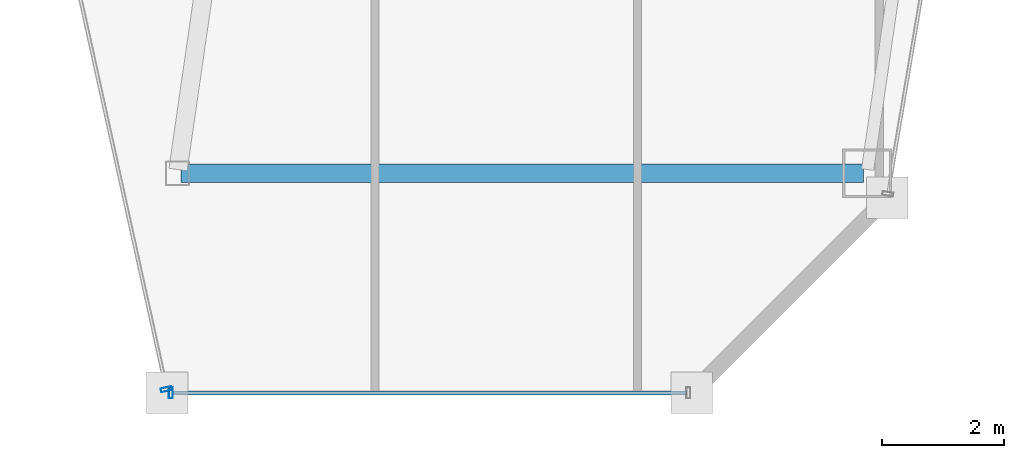
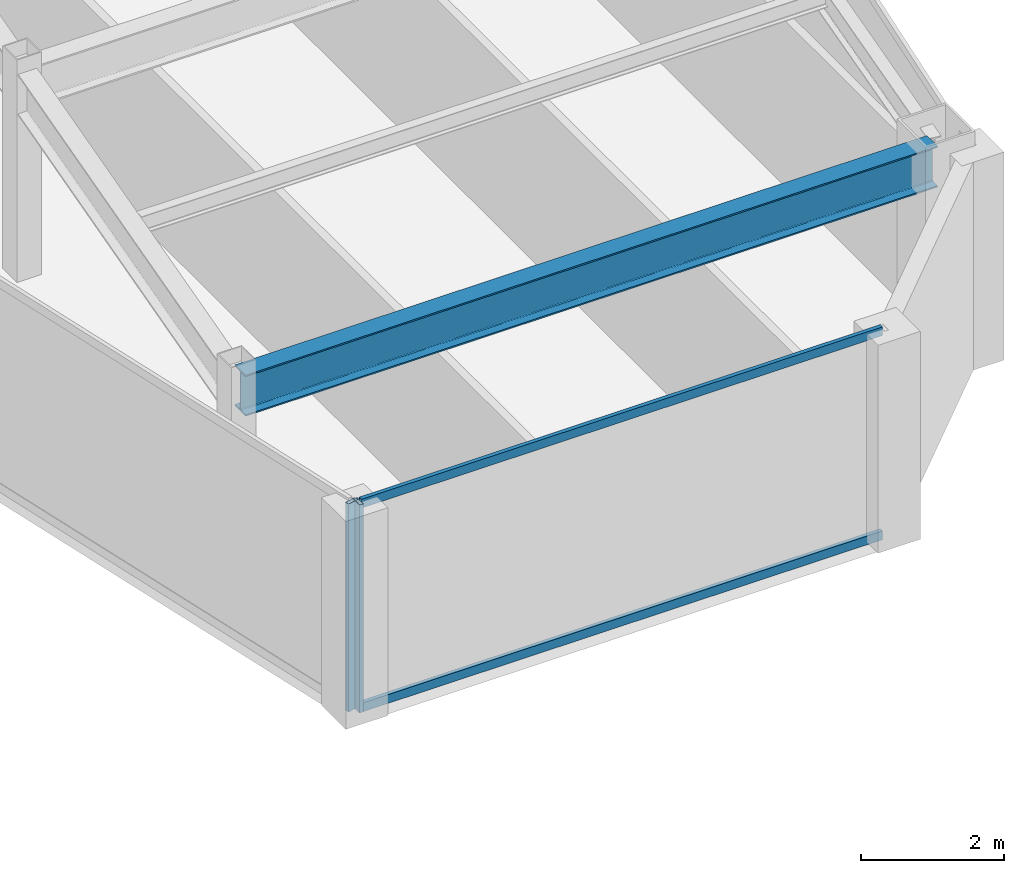
# One storey, part 16 of 36: 4 members, 1 beam, 2 elements without a shape of their own.
"""IFC4 building model written with IfcOpenShell, lengths in metres."""

from ifc_helpers import new_model, si_unit, direction, frame, origin, origin_2d, place, context, subcontext, project, spatial, hollow_rectangle, i_section, extrude, material, material_profile, profile_set, type_object, element, aggregate, save


model = new_model("IFC4")

# Units and contexts
model_context = context("Model", 3, precision=1e-05, world=origin(), true_north=direction((0.0, 1.0)))
body_context = subcontext(model_context, "Body", "Model", "MODEL_VIEW")
ifc_project = project(units=[si_unit("LENGTHUNIT", "METRE"), si_unit("AREAUNIT", "SQUARE_METRE"), si_unit("VOLUMEUNIT", "CUBIC_METRE"), si_unit("PLANEANGLEUNIT", "RADIAN"), si_unit("MASSUNIT", "GRAM", prefix="KILO")], contexts=[model_context])

# Site, building, storey
site_placement = place(None, origin())
site = spatial("IfcSite", under=ifc_project, at=site_placement, CompositionType="ELEMENT")
building_placement = place(site_placement, origin())
building = spatial("IfcBuilding", under=site, at=building_placement, Name="Saevonmaru Cultural Tower", CompositionType="ELEMENT")
storey_placement = place(building_placement, frame((0.0, 0.0, 205.60009765625)))
storey = spatial("IfcBuildingStorey", under=building, at=storey_placement, Name="L47", CompositionType="ELEMENT", Elevation=205.60009765625)

# Beam
ifc_material_1 = material(Name="Steel SM355", Category="steel")
ifc_material_profile_1 = material_profile(ifc_material_1, i_section(OverallWidth=0.300048828125, OverallDepth=0.699951171875, WebThickness=0.012939453125, FlangeThickness=0.02392578125, FilletRadius=0.02587890625, at=origin_2d()), Name="H-700x300x13x24")
ifc_profile_set_1 = profile_set([ifc_material_profile_1], Name="Steel SM355")
beam_type = type_object("IfcBeamType", Name="BM-G-H700", PredefinedType="BEAM", material=ifc_profile_set_1)
beam_placement = place(storey_placement, frame((38.132080078125, 16.0, 3.199951171875), z_axis=(1.0, 0.0, 0.0), x_axis=(0.0, 1.0, 0.0)))
element("IfcBeam", 1, at=beam_placement, inside=storey, type_object=beam_type, Name="L47 East Wing Transverse Girder 1", PredefinedType="BEAM", context=body_context, shape_type="SweptSolid", body=[
    extrude(i_section(OverallWidth=0.300048828125, OverallDepth=0.699951171875, WebThickness=0.012939453125, FlangeThickness=0.02392578125, FilletRadius=0.02587890625, at=origin_2d()), origin(), (0.0, 0.0, 1.0), 11.179931640625),
])

# Curtain wall, member
ifc_material_2 = material(Name="Satin Bronze Anodised Aluminium", Category="aluminium")
curtain_wall_type = type_object("IfcCurtainWallType", Name="CW-TYP-B", PredefinedType="NOTDEFINED", material=ifc_material_2)
curtain_wall_1_placement = place(storey_placement, origin())
curtain_wall_1 = element("IfcCurtainWall", 2, at=curtain_wall_1_placement, inside=storey, type_object=curtain_wall_type, Name="L47 Unitised Curtain Wall E5", PredefinedType="NOTDEFINED")
ifc_material_profile_2 = material_profile(ifc_material_2, hollow_rectangle(XDim=0.06494140625, YDim=0.179931640625, WallThickness=0.00390625, at=origin_2d()), Name="ALU-MULL-180x65x4")
ifc_profile_set_2 = profile_set([ifc_material_profile_2], Name="Satin Bronze Anodised Aluminium")
member_type_1 = type_object("IfcMemberType", Name="ML-CW-180x65", PredefinedType="MULLION", material=ifc_profile_set_2)
member_1_placement = place(storey_placement, frame((37.889404296875, 12.45849609375, 0.0), z_axis=(0.0, 0.0, 1.0), x_axis=(0.215413319953, -0.976522965212, 0.0)))
member_1 = element("IfcMember", 3, at=member_1_placement, type_object=member_type_1, Name="CW-TW-L47-E5 mullion 2", PredefinedType="MULLION", context=body_context, shape_type="SweptSolid", body=[
    extrude(hollow_rectangle(XDim=0.06494140625, YDim=0.179931640625, WallThickness=0.00390625, at=origin_2d()), origin(), (0.0, 0.0, 1.0), 3.5498046875),
])
aggregate(curtain_wall_1, [member_1])

# Curtain wall, members
curtain_wall_2_placement = place(storey_placement, origin())
curtain_wall_2 = element("IfcCurtainWall", 4, at=curtain_wall_2_placement, inside=storey, type_object=curtain_wall_type, Name="L47 Unitised Curtain Wall E6", PredefinedType="NOTDEFINED")
member_2_placement = place(storey_placement, frame((37.962158203125, 12.39990234375, 0.0), z_axis=(0.0, 0.0, 1.0), x_axis=(1.0, 0.0, 0.0)))
member_2 = element("IfcMember", 5, at=member_2_placement, type_object=member_type_1, Name="CW-TW-L47-E6 mullion 1", PredefinedType="MULLION", context=body_context, shape_type="SweptSolid", body=[
    extrude(hollow_rectangle(XDim=0.06494140625, YDim=0.179931640625, WallThickness=0.00390625, at=origin_2d()), origin(), (0.0, 0.0, 1.0), 3.5498046875),
])
ifc_material_profile_3 = material_profile(ifc_material_2, hollow_rectangle(XDim=0.06494140625, YDim=0.14990234375, WallThickness=0.00390625, at=origin_2d()), Name="ALU-TRAN-150x65x4")
ifc_profile_set_3 = profile_set([ifc_material_profile_3], Name="Satin Bronze Anodised Aluminium")
member_type_2 = type_object("IfcMemberType", Name="TR-CW-150x65", PredefinedType="USERDEFINED", material=ifc_profile_set_3)
member_3_placement = place(storey_placement, frame((37.99462890625, 12.39990234375, 0.032470703125), z_axis=(1.0, 0.0, 0.0), x_axis=(0.0, 1.0, 0.0)))
member_3 = element("IfcMember", 6, at=member_3_placement, type_object=member_type_2, Name="CW-TW-L47-E6 transom 1.1", ObjectType="TRANSOM", PredefinedType="USERDEFINED", context=body_context, shape_type="SweptSolid", body=[
    extrude(hollow_rectangle(XDim=0.06494140625, YDim=0.14990234375, WallThickness=0.00390625, at=origin_2d()), origin(), (0.0, 0.0, 1.0), 8.4150390625),
])
member_4_placement = place(storey_placement, frame((37.99462890625, 12.39990234375, 3.517333984375), z_axis=(1.0, 0.0, 0.0), x_axis=(0.0, 1.0, 0.0)))
member_4 = element("IfcMember", 7, at=member_4_placement, type_object=member_type_2, Name="CW-TW-L47-E6 transom 1.2", ObjectType="TRANSOM", PredefinedType="USERDEFINED", context=body_context, shape_type="SweptSolid", body=[
    extrude(hollow_rectangle(XDim=0.06494140625, YDim=0.14990234375, WallThickness=0.00390625, at=origin_2d()), origin(), (0.0, 0.0, 1.0), 8.4150390625),
])
aggregate(curtain_wall_2, [member_2, member_3, member_4])

save(model, "model.ifc")
